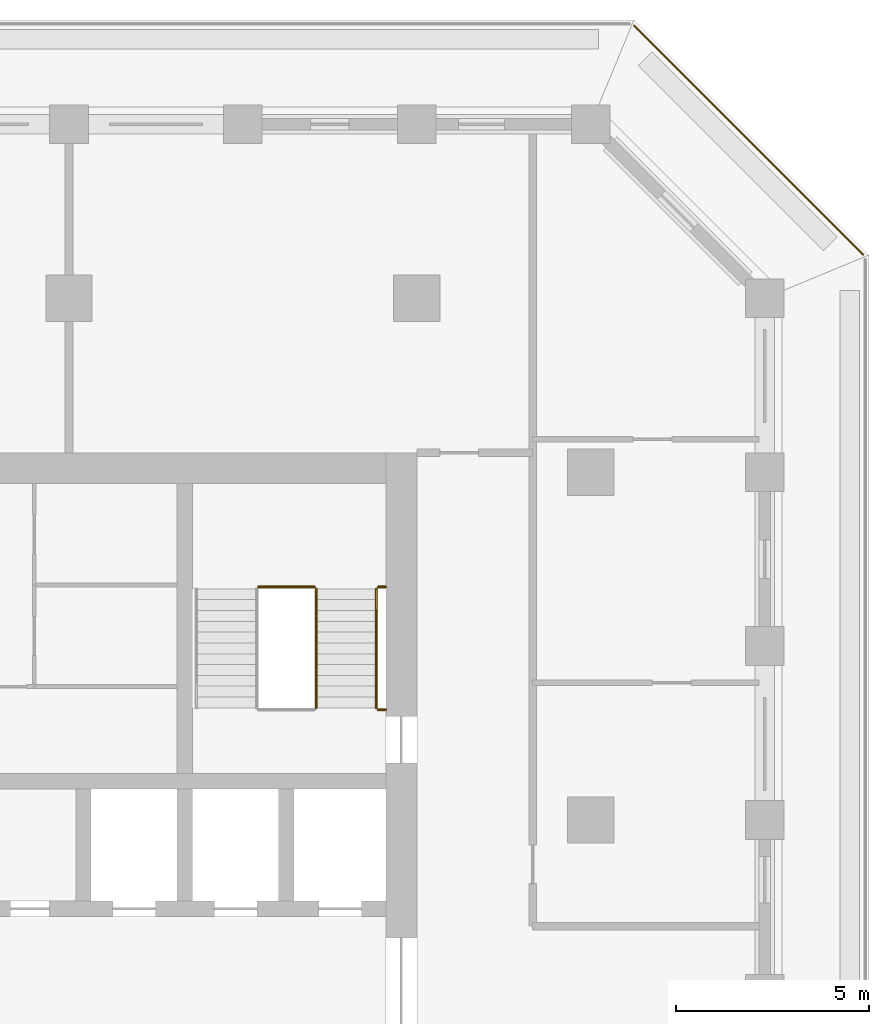
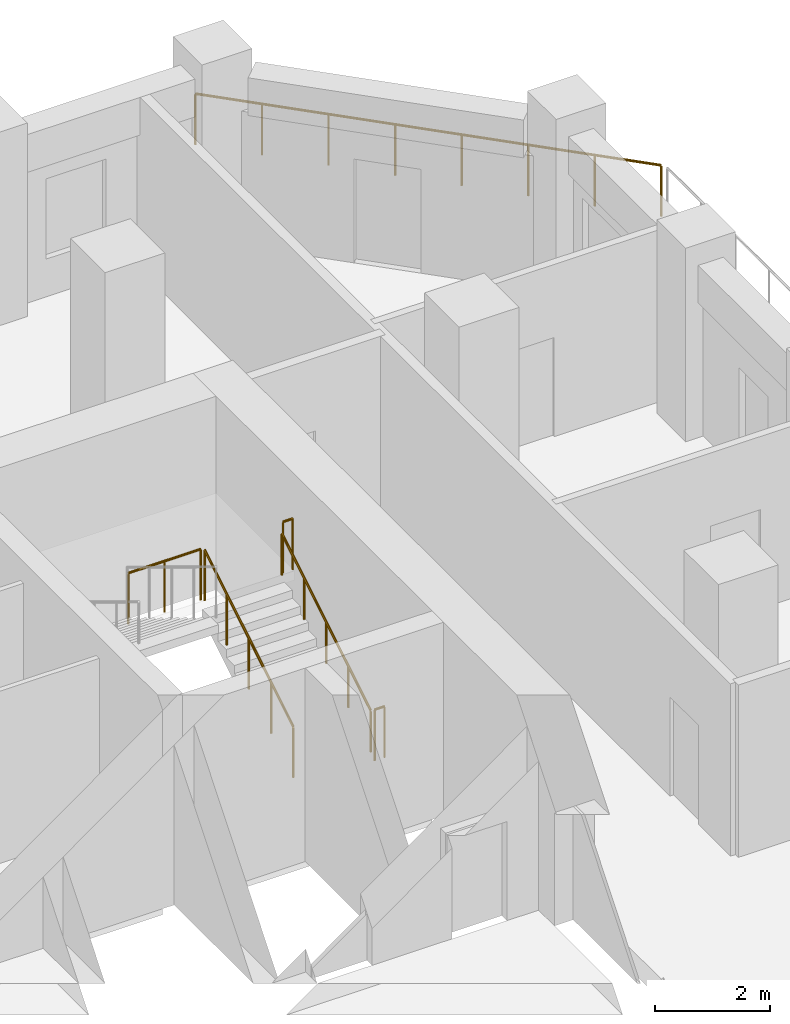
# One storey, part 15 of 16: 6 railings.
"""IFC4 building model written with IfcOpenShell, lengths in metres."""

from ifc_helpers import new_model, si_unit, direction, frame, origin, origin_2d, place, context, subcontext, project, spatial, circle, extrude, material, type_object, element, save


model = new_model("IFC4")

# Units and contexts
model_context = context("Model", 3, precision=1e-05, world=origin(), true_north=direction((0.0, 1.0)))
body_context = subcontext(model_context, "Body", "Model", "MODEL_VIEW")
ifc_project = project(units=[si_unit("LENGTHUNIT", "METRE"), si_unit("AREAUNIT", "SQUARE_METRE"), si_unit("VOLUMEUNIT", "CUBIC_METRE"), si_unit("PLANEANGLEUNIT", "RADIAN"), si_unit("MASSUNIT", "GRAM", prefix="KILO")], contexts=[model_context])

# Site, building, storey
site_placement = place(None, origin())
site = spatial("IfcSite", under=ifc_project, at=site_placement, CompositionType="ELEMENT")
building_placement = place(site_placement, origin())
building = spatial("IfcBuilding", under=site, at=building_placement, Name="Corbel Stack Research Tower", CompositionType="ELEMENT")
storey_placement = place(building_placement, frame((0.0, 0.0, 177.300048828125)))
storey = spatial("IfcBuildingStorey", under=building, at=storey_placement, Name="L40", CompositionType="ELEMENT", Elevation=177.300048828125)

# Railings
ifc_material_1 = material(Name="Steel S355", Category="steel")
railing_type_1 = type_object("IfcRailingType", Name="Stair guard 1100", PredefinedType="GUARDRAIL", material=ifc_material_1)
railing_1_placement = place(storey_placement, frame((15.39990234375, 11.89990234375, 0.1708984375)))
element("IfcRailing", 1, at=railing_1_placement, inside=storey, type_object=railing_type_1, Name="L40 ST-E2 stair guard 1", PredefinedType="GUARDRAIL", context=body_context, shape_type="SweptSolid", body=[
    extrude(circle(Radius=0.02392578125, at=origin_2d()), frame((0.0, 0.0, 1.076171875), z_axis=(0.0, 0.853666305674, 0.52082035152), x_axis=(-1.0, 0.0, 0.0)), (0.0, 0.0, 1.0), 3.608154296875),
    extrude(circle(Radius=0.02099609375, at=origin_2d()), origin(), (0.0, 0.0, 1.0), 1.052001953125),
    extrude(circle(Radius=0.02099609375, at=origin_2d()), frame((0.0, 0.77001953125, 0.4697265625)), (0.0, 0.0, 1.0), 1.052001953125),
    extrude(circle(Radius=0.02099609375, at=origin_2d()), frame((0.0, 1.5400390625, 0.939453125)), (0.0, 0.0, 1.0), 1.052001953125),
    extrude(circle(Radius=0.02099609375, at=origin_2d()), frame((0.0, 2.31005859375, 1.409423828125)), (0.0, 0.0, 1.0), 1.052001953125),
    extrude(circle(Radius=0.02099609375, at=origin_2d()), frame((0.0, 3.080078125, 1.879150390625)), (0.0, 0.0, 1.0), 1.052001953125),
])
railing_2_placement = place(storey_placement, frame((15.35009765625, 15.030029296875, 2.050048828125)))
element("IfcRailing", 2, at=railing_2_placement, inside=storey, type_object=railing_type_1, Name="L40 ST-E2 stair guard 2", PredefinedType="GUARDRAIL", context=body_context, shape_type="SweptSolid", body=[
    extrude(circle(Radius=0.02392578125, at=origin_2d()), frame((0.0, 0.0, 1.076171875), z_axis=(-1.0, 0.0, 0.0), x_axis=(0.0, -1.0, 0.0)), (0.0, 0.0, 1.0), 1.4501953125),
    extrude(circle(Radius=0.02099609375, at=origin_2d()), origin(), (0.0, 0.0, 1.0), 1.052001953125),
    extrude(circle(Radius=0.02099609375, at=origin_2d()), frame((-0.72509765625, 0.0, 0.0)), (0.0, 0.0, 1.0), 1.052001953125),
    extrude(circle(Radius=0.02099609375, at=origin_2d()), frame((-1.4501953125, 0.0, 0.0)), (0.0, 0.0, 1.0), 1.052001953125),
])
for number, where, name in (
    (3, (17.199951171875, 15.030029296875, 2.050048828125), "L40 ST-E2 stair guard 3"),
    (4, (17.199951171875, 11.85009765625, 0.0), "L40 ST-E2 stair guard 6"),
):
    element("IfcRailing", number, at=place(storey_placement, frame(where)), inside=storey, type_object=railing_type_1, Name=name, PredefinedType="GUARDRAIL", context=body_context, shape_type="SweptSolid", body=[
        extrude(circle(Radius=0.02392578125, at=origin_2d()), frame((0.0, 0.0, 1.076171875), z_axis=(-1.0, 0.0, 0.0), x_axis=(0.0, -1.0, 0.0)), (0.0, 0.0, 1.0), 0.199951171875),
        extrude(circle(Radius=0.02099609375, at=origin_2d()), origin(), (0.0, 0.0, 1.0), 1.052001953125),
        extrude(circle(Radius=0.02099609375, at=origin_2d()), frame((-0.199951171875, 0.0, 0.0)), (0.0, 0.0, 1.0), 1.052001953125),
    ])
ifc_material_2 = material(Name="Steel S355", Category="steel")
railing_type_2 = type_object("IfcRailingType", Name="Stair handrail 900", PredefinedType="HANDRAIL", material=ifc_material_2)
railing_3_placement = place(storey_placement, frame((16.949951171875, 11.89990234375, 0.1708984375)))
element("IfcRailing", 5, at=railing_3_placement, inside=storey, type_object=railing_type_2, Name="L40 ST-E2 stair handrail 1", PredefinedType="HANDRAIL", context=body_context, shape_type="SweptSolid", body=[
    extrude(circle(Radius=0.02392578125, at=origin_2d()), frame((0.0, 0.0, 0.8759765625), z_axis=(0.0, 0.853666305674, 0.52082035152), x_axis=(-1.0, 0.0, 0.0)), (0.0, 0.0, 1.0), 3.608154296875),
    extrude(circle(Radius=0.02099609375, at=origin_2d()), origin(), (0.0, 0.0, 1.0), 0.851806640625),
    extrude(circle(Radius=0.02099609375, at=origin_2d()), frame((0.0, 0.77001953125, 0.4697265625)), (0.0, 0.0, 1.0), 0.851806640625),
    extrude(circle(Radius=0.02099609375, at=origin_2d()), frame((0.0, 1.5400390625, 0.939453125)), (0.0, 0.0, 1.0), 0.851806640625),
    extrude(circle(Radius=0.02099609375, at=origin_2d()), frame((0.0, 2.31005859375, 1.409423828125)), (0.0, 0.0, 1.0), 0.851806640625),
    extrude(circle(Radius=0.02099609375, at=origin_2d()), frame((0.0, 3.080078125, 1.879150390625)), (0.0, 0.0, 1.0), 0.851806640625),
])
ifc_material_3 = material(Name="Powder-coated steel guard", Category="steel")
railing_type_3 = type_object("IfcRailingType", Name="Steel and glass guard 1100", PredefinedType="GUARDRAIL", material=ifc_material_3)
railing_4_placement = place(storey_placement, frame((29.54931640625, 23.627685546875, 0.0)))
element("IfcRailing", 6, at=railing_4_placement, inside=storey, type_object=railing_type_3, Name="Loggia guard L40 NE", PredefinedType="GUARDRAIL", context=body_context, shape_type="SweptSolid", body=[
    extrude(circle(Radius=0.02392578125, at=origin_2d()), frame((0.0, 0.0, 1.076171875), z_axis=(-0.707106781187, 0.707106781187, 0.0), x_axis=(-0.707106781187, -0.707106781187, 0.0)), (0.0, 0.0, 1.0), 8.37451171875),
    extrude(circle(Radius=0.02099609375, at=origin_2d()), origin(), (0.0, 0.0, 1.0), 1.052001953125),
    extrude(circle(Radius=0.02099609375, at=origin_2d()), frame((-0.845947265625, 0.845947265625, 0.0)), (0.0, 0.0, 1.0), 1.052001953125),
    extrude(circle(Radius=0.02099609375, at=origin_2d()), frame((-1.69189453125, 1.69189453125, 0.0)), (0.0, 0.0, 1.0), 1.052001953125),
    extrude(circle(Radius=0.02099609375, at=origin_2d()), frame((-2.537841796875, 2.537841796875, 0.0)), (0.0, 0.0, 1.0), 1.052001953125),
    extrude(circle(Radius=0.02099609375, at=origin_2d()), frame((-3.3837890625, 3.3837890625, 0.0)), (0.0, 0.0, 1.0), 1.052001953125),
    extrude(circle(Radius=0.02099609375, at=origin_2d()), frame((-4.229736328125, 4.229736328125, 0.0)), (0.0, 0.0, 1.0), 1.052001953125),
    extrude(circle(Radius=0.02099609375, at=origin_2d()), frame((-5.07568359375, 5.07568359375, 0.0)), (0.0, 0.0, 1.0), 1.052001953125),
    extrude(circle(Radius=0.02099609375, at=origin_2d()), frame((-5.921630859375, 5.921630859375, 0.0)), (0.0, 0.0, 1.0), 1.052001953125),
])

save(model, "model.ifc")
